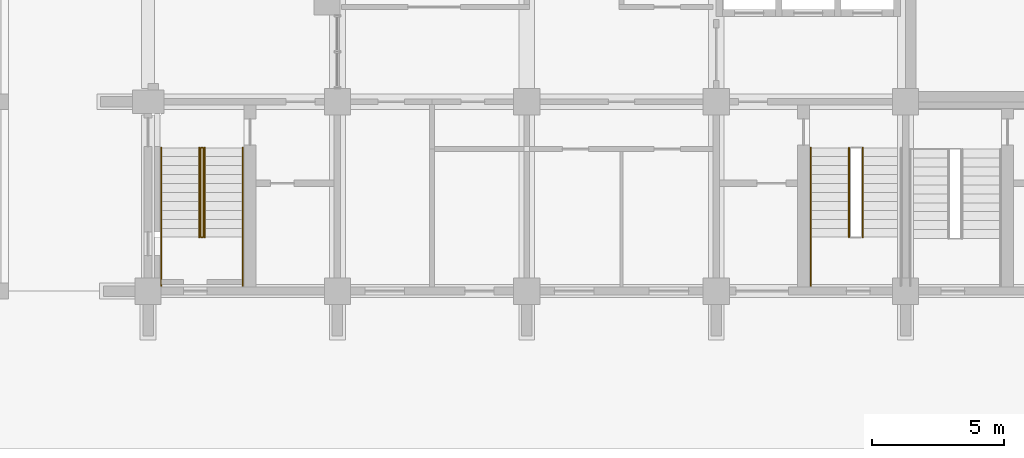
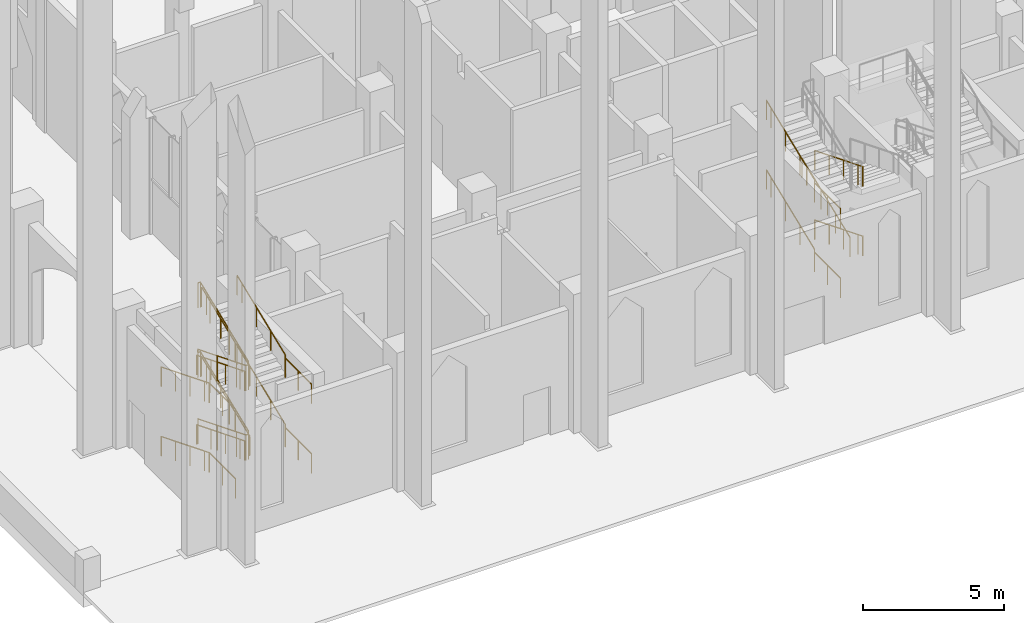
# One storey, part 43 of 50: 14 railings.
"""IFC4 building model written with IfcOpenShell, lengths in metres."""

from ifc_helpers import new_model, si_unit, direction, frame, origin, origin_2d, place, context, subcontext, project, spatial, circle, extrude, material, type_object, element, save


model = new_model("IFC4")

# Units and contexts
model_context = context("Model", 3, precision=1e-05, world=origin(), true_north=direction((0.0, 1.0)))
body_context = subcontext(model_context, "Body", "Model", "MODEL_VIEW")
ifc_project = project(units=[si_unit("LENGTHUNIT", "METRE"), si_unit("AREAUNIT", "SQUARE_METRE"), si_unit("VOLUMEUNIT", "CUBIC_METRE"), si_unit("PLANEANGLEUNIT", "RADIAN"), si_unit("MASSUNIT", "GRAM", prefix="KILO")], contexts=[model_context])

# Site, building, storey
site_placement = place(None, origin())
site = spatial("IfcSite", under=ifc_project, at=site_placement, CompositionType="ELEMENT")
building_placement = place(site_placement, origin())
building = spatial("IfcBuilding", under=site, at=building_placement, Name="Silangan Lancet Faculty of Sciences", CompositionType="ELEMENT")
storey_placement = place(building_placement, origin())
storey = spatial("IfcBuildingStorey", under=building, at=storey_placement, Name="L00", CompositionType="ELEMENT", Elevation=0.0)

# Railings
ifc_material_1 = material(Name="Steel balustrade", Category="steel")
railing_type_1 = type_object("IfcRailingType", Name="STAIR GUARD 1100", PredefinedType="GUARDRAIL", material=ifc_material_1)
railing_1_placement = place(storey_placement, frame((2.0, 5.449951171875, 0.136474609375)))
element("IfcRailing", 1, at=railing_1_placement, inside=storey, type_object=railing_type_1, Name="GUARD-ST-A-L00", PredefinedType="GUARDRAIL", context=body_context, shape_type="SweptSolid", body=[
    extrude(circle(Radius=0.02392578125, at=origin_2d()), frame((0.0, 0.0, 1.076171875), z_axis=(0.0, -0.928131538224, 0.372252397916), x_axis=(1.0, 0.0, 0.0)), (0.0, 0.0, 1.0), 1.465087890625),
    extrude(circle(Radius=0.02392578125, at=origin_2d()), frame((0.0, -1.35986328125, 1.62158203125), z_axis=(0.0, -0.928154623156, 0.372194835421), x_axis=(1.0, 0.0, 0.0)), (0.0, 0.0, 1.0), 1.46533203125),
    extrude(circle(Radius=0.02392578125, at=origin_2d()), frame((0.0, -2.719970703125, 2.1669921875), z_axis=(0.0, -0.928131538224, 0.372252397916), x_axis=(1.0, 0.0, 0.0)), (0.0, 0.0, 1.0), 0.732666015625),
    extrude(circle(Radius=0.02392578125, at=origin_2d()), frame((0.0, -3.39990234375, 2.439453125), z_axis=(1.0, 0.0, 0.0), x_axis=(0.0, 1.0, 0.0)), (0.0, 0.0, 1.0), 0.10009765625),
    extrude(circle(Radius=0.02392578125, at=origin_2d()), frame((0.10009765625, -3.39990234375, 2.439453125), z_axis=(0.0, 0.0, 1.0), x_axis=(1.0, 0.0, 0.0)), (0.0, 0.0, 1.0), 0.136474609375),
    extrude(circle(Radius=0.02392578125, at=origin_2d()), frame((0.10009765625, -3.39990234375, 2.576171875), z_axis=(0.0, 0.928131538224, 0.372252397916), x_axis=(-1.0, 0.0, 0.0)), (0.0, 0.0, 1.0), 1.465087890625),
    extrude(circle(Radius=0.02392578125, at=origin_2d()), frame((0.10009765625, -2.0400390625, 3.12158203125), z_axis=(0.0, 0.928154623156, 0.372194835421), x_axis=(-1.0, 0.0, 0.0)), (0.0, 0.0, 1.0), 1.46533203125),
    extrude(circle(Radius=0.02392578125, at=origin_2d()), frame((0.10009765625, -0.679931640625, 3.6669921875), z_axis=(0.0, 0.928131538224, 0.372252397916), x_axis=(-1.0, 0.0, 0.0)), (0.0, 0.0, 1.0), 0.732666015625),
    extrude(circle(Radius=0.02392578125, at=origin_2d()), frame((0.10009765625, 0.0, 3.939453125), z_axis=(-1.0, 0.0, 0.0), x_axis=(0.0, -1.0, 0.0)), (0.0, 0.0, 1.0), 0.10009765625),
    extrude(circle(Radius=0.02392578125, at=origin_2d()), frame((0.0, 0.0, 3.939453125), z_axis=(0.0, 0.0, 1.0), x_axis=(1.0, 0.0, 0.0)), (0.0, 0.0, 1.0), 0.136474609375),
    extrude(circle(Radius=0.02392578125, at=origin_2d()), frame((0.0, 0.0, 4.076171875), z_axis=(0.0, -0.928131538224, 0.372252397916), x_axis=(1.0, 0.0, 0.0)), (0.0, 0.0, 1.0), 1.465087890625),
    extrude(circle(Radius=0.02392578125, at=origin_2d()), frame((0.0, -1.35986328125, 4.62158203125), z_axis=(0.0, -0.928154623156, 0.372194835421), x_axis=(1.0, 0.0, 0.0)), (0.0, 0.0, 1.0), 1.46533203125),
    extrude(circle(Radius=0.02392578125, at=origin_2d()), frame((0.0, -2.719970703125, 5.1669921875), z_axis=(0.0, -0.928131538224, 0.372252397916), x_axis=(1.0, 0.0, 0.0)), (0.0, 0.0, 1.0), 0.732666015625),
    extrude(circle(Radius=0.02392578125, at=origin_2d()), frame((0.0, -3.39990234375, 5.439453125), z_axis=(1.0, 0.0, 0.0), x_axis=(0.0, 1.0, 0.0)), (0.0, 0.0, 1.0), 0.10009765625),
    extrude(circle(Radius=0.02392578125, at=origin_2d()), frame((0.10009765625, -3.39990234375, 5.439453125), z_axis=(0.0, 0.0, 1.0), x_axis=(1.0, 0.0, 0.0)), (0.0, 0.0, 1.0), 0.136474609375),
    extrude(circle(Radius=0.02392578125, at=origin_2d()), frame((0.10009765625, -3.39990234375, 5.576171875), z_axis=(0.0, 0.928131538224, 0.372252397916), x_axis=(-1.0, 0.0, 0.0)), (0.0, 0.0, 1.0), 1.465087890625),
    extrude(circle(Radius=0.02392578125, at=origin_2d()), frame((0.10009765625, -2.0400390625, 6.12158203125), z_axis=(0.0, 0.928154623156, 0.372194835421), x_axis=(-1.0, 0.0, 0.0)), (0.0, 0.0, 1.0), 1.46533203125),
    extrude(circle(Radius=0.02392578125, at=origin_2d()), frame((0.10009765625, -0.679931640625, 6.6669921875), z_axis=(0.0, 0.928131538224, 0.372252397916), x_axis=(-1.0, 0.0, 0.0)), (0.0, 0.0, 1.0), 0.732666015625),
    extrude(circle(Radius=0.02392578125, at=origin_2d()), frame((0.10009765625, 0.0, 6.939453125), z_axis=(-1.0, 0.0, 0.0), x_axis=(0.0, -1.0, 0.0)), (0.0, 0.0, 1.0), 0.10009765625),
    extrude(circle(Radius=0.02099609375, at=origin_2d()), origin(), (0.0, 0.0, 1.0), 1.052001953125),
    extrude(circle(Radius=0.02099609375, at=origin_2d()), frame((0.0, -1.35986328125, 0.54541015625)), (0.0, 0.0, 1.0), 1.052001953125),
    extrude(circle(Radius=0.02099609375, at=origin_2d()), frame((0.0, -2.719970703125, 1.0908203125)), (0.0, 0.0, 1.0), 1.052001953125),
    extrude(circle(Radius=0.02099609375, at=origin_2d()), frame((0.0, -3.39990234375, 1.363525390625)), (0.0, 0.0, 1.0), 1.052001953125),
    extrude(circle(Radius=0.02099609375, at=origin_2d()), frame((0.10009765625, -3.39990234375, 1.363525390625)), (0.0, 0.0, 1.0), 1.052001953125),
    extrude(circle(Radius=0.02099609375, at=origin_2d()), frame((0.10009765625, -3.39990234375, 1.5)), (0.0, 0.0, 1.0), 1.052001953125),
    extrude(circle(Radius=0.02099609375, at=origin_2d()), frame((0.10009765625, -2.0400390625, 2.04541015625)), (0.0, 0.0, 1.0), 1.052001953125),
    extrude(circle(Radius=0.02099609375, at=origin_2d()), frame((0.10009765625, -0.679931640625, 2.5908203125)), (0.0, 0.0, 1.0), 1.052001953125),
    extrude(circle(Radius=0.02099609375, at=origin_2d()), frame((0.10009765625, 0.0, 2.863525390625)), (0.0, 0.0, 1.0), 1.052001953125),
    extrude(circle(Radius=0.02099609375, at=origin_2d()), frame((0.0, 0.0, 2.863525390625)), (0.0, 0.0, 1.0), 1.052001953125),
    extrude(circle(Radius=0.02099609375, at=origin_2d()), frame((0.0, 0.0, 3.0)), (0.0, 0.0, 1.0), 1.052001953125),
    extrude(circle(Radius=0.02099609375, at=origin_2d()), frame((0.0, -1.35986328125, 3.54541015625)), (0.0, 0.0, 1.0), 1.052001953125),
    extrude(circle(Radius=0.02099609375, at=origin_2d()), frame((0.0, -2.719970703125, 4.0908203125)), (0.0, 0.0, 1.0), 1.052001953125),
    extrude(circle(Radius=0.02099609375, at=origin_2d()), frame((0.0, -3.39990234375, 4.363525390625)), (0.0, 0.0, 1.0), 1.052001953125),
    extrude(circle(Radius=0.02099609375, at=origin_2d()), frame((0.10009765625, -3.39990234375, 4.363525390625)), (0.0, 0.0, 1.0), 1.052001953125),
    extrude(circle(Radius=0.02099609375, at=origin_2d()), frame((0.10009765625, -3.39990234375, 4.5)), (0.0, 0.0, 1.0), 1.052001953125),
    extrude(circle(Radius=0.02099609375, at=origin_2d()), frame((0.10009765625, -2.0400390625, 5.04541015625)), (0.0, 0.0, 1.0), 1.052001953125),
    extrude(circle(Radius=0.02099609375, at=origin_2d()), frame((0.10009765625, -0.679931640625, 5.5908203125)), (0.0, 0.0, 1.0), 1.052001953125),
    extrude(circle(Radius=0.02099609375, at=origin_2d()), frame((0.10009765625, 0.0, 5.863525390625)), (0.0, 0.0, 1.0), 1.052001953125),
    extrude(circle(Radius=0.02099609375, at=origin_2d()), frame((0.0, 0.0, 5.863525390625)), (0.0, 0.0, 1.0), 1.052001953125),
])
ifc_material_2 = material(Name="Stainless steel", Category="steel")
railing_type_2 = type_object("IfcRailingType", Name="STAIR HANDRAIL 865", PredefinedType="HANDRAIL", material=ifc_material_2)
railing_2_placement = place(storey_placement, frame((0.5, 5.449951171875, 0.136474609375)))
element("IfcRailing", 2, at=railing_2_placement, inside=storey, type_object=railing_type_2, Name="HANDRAIL-ST-A-L00-O1", PredefinedType="HANDRAIL", context=body_context, shape_type="SweptSolid", body=[
    extrude(circle(Radius=0.02392578125, at=origin_2d()), frame((0.0, 0.0, 0.8408203125), z_axis=(0.0, -0.9281852992, 0.372118328425), x_axis=(1.0, 0.0, 0.0)), (0.0, 0.0, 1.0), 1.098876953125),
    extrude(circle(Radius=0.02392578125, at=origin_2d()), frame((0.0, -1.02001953125, 1.25), z_axis=(0.0, -0.928108552846, 0.372309701908), x_axis=(1.0, 0.0, 0.0)), (0.0, 0.0, 1.0), 1.09912109375),
    extrude(circle(Radius=0.02392578125, at=origin_2d()), frame((0.0, -2.0400390625, 1.6591796875), z_axis=(0.0, -0.9281852992, 0.372118328425), x_axis=(1.0, 0.0, 0.0)), (0.0, 0.0, 1.0), 1.098876953125),
    extrude(circle(Radius=0.02392578125, at=origin_2d()), frame((0.0, -3.06005859375, 2.06787109375), z_axis=(0.0, -0.927970099223, 0.372654659099), x_axis=(1.0, 0.0, 0.0)), (0.0, 0.0, 1.0), 0.3662109375),
    extrude(circle(Radius=0.02392578125, at=origin_2d()), frame((0.0, -3.39990234375, 2.20458984375), z_axis=(0.0, -1.0, 0.0), x_axis=(1.0, 0.0, 0.0)), (0.0, 0.0, 1.0), 1.85009765625),
    extrude(circle(Radius=0.02099609375, at=origin_2d()), origin(), (0.0, 0.0, 1.0), 0.81689453125),
    extrude(circle(Radius=0.02099609375, at=origin_2d()), frame((0.0, -1.02001953125, 0.408935546875)), (0.0, 0.0, 1.0), 0.81689453125),
    extrude(circle(Radius=0.02099609375, at=origin_2d()), frame((0.0, -2.0400390625, 0.818115234375)), (0.0, 0.0, 1.0), 0.81689453125),
    extrude(circle(Radius=0.02099609375, at=origin_2d()), frame((0.0, -3.06005859375, 1.22705078125)), (0.0, 0.0, 1.0), 0.81689453125),
    extrude(circle(Radius=0.02099609375, at=origin_2d()), frame((0.0, -3.39990234375, 1.363525390625)), (0.0, 0.0, 1.0), 0.81689453125),
    extrude(circle(Radius=0.02099609375, at=origin_2d()), frame((0.0, -4.324951171875, 1.363525390625)), (0.0, 0.0, 1.0), 0.81689453125),
    extrude(circle(Radius=0.02099609375, at=origin_2d()), frame((0.0, -5.25, 1.363525390625)), (0.0, 0.0, 1.0), 0.81689453125),
])
railing_3_placement = place(storey_placement, frame((1.949951171875, 5.449951171875, 0.136474609375)))
element("IfcRailing", 3, at=railing_3_placement, inside=storey, type_object=railing_type_2, Name="HANDRAIL-ST-A-L00-I1", PredefinedType="HANDRAIL", context=body_context, shape_type="SweptSolid", body=[
    extrude(circle(Radius=0.02392578125, at=origin_2d()), frame((0.0, 0.0, 0.8408203125), z_axis=(0.0, -0.9281852992, 0.372118328425), x_axis=(1.0, 0.0, 0.0)), (0.0, 0.0, 1.0), 1.098876953125),
    extrude(circle(Radius=0.02392578125, at=origin_2d()), frame((0.0, -1.02001953125, 1.25), z_axis=(0.0, -0.928108552846, 0.372309701908), x_axis=(1.0, 0.0, 0.0)), (0.0, 0.0, 1.0), 1.09912109375),
    extrude(circle(Radius=0.02392578125, at=origin_2d()), frame((0.0, -2.0400390625, 1.6591796875), z_axis=(0.0, -0.9281852992, 0.372118328425), x_axis=(1.0, 0.0, 0.0)), (0.0, 0.0, 1.0), 1.098876953125),
    extrude(circle(Radius=0.02392578125, at=origin_2d()), frame((0.0, -3.06005859375, 2.06787109375), z_axis=(0.0, -0.927970099223, 0.372654659099), x_axis=(1.0, 0.0, 0.0)), (0.0, 0.0, 1.0), 0.3662109375),
    extrude(circle(Radius=0.02099609375, at=origin_2d()), origin(), (0.0, 0.0, 1.0), 0.81689453125),
    extrude(circle(Radius=0.02099609375, at=origin_2d()), frame((0.0, -1.02001953125, 0.408935546875)), (0.0, 0.0, 1.0), 0.81689453125),
    extrude(circle(Radius=0.02099609375, at=origin_2d()), frame((0.0, -2.0400390625, 0.818115234375)), (0.0, 0.0, 1.0), 0.81689453125),
    extrude(circle(Radius=0.02099609375, at=origin_2d()), frame((0.0, -3.06005859375, 1.22705078125)), (0.0, 0.0, 1.0), 0.81689453125),
    extrude(circle(Radius=0.02099609375, at=origin_2d()), frame((0.0, -3.39990234375, 1.363525390625)), (0.0, 0.0, 1.0), 0.81689453125),
])
railing_4_placement = place(storey_placement, frame((3.60009765625, 0.199951171875, 1.5)))
element("IfcRailing", 4, at=railing_4_placement, inside=storey, type_object=railing_type_2, Name="HANDRAIL-ST-A-L00-O2", PredefinedType="HANDRAIL", context=body_context, shape_type="SweptSolid", body=[
    extrude(circle(Radius=0.02392578125, at=origin_2d()), frame((0.0, 0.0, 0.8408203125), z_axis=(0.0, 1.0, 0.0), x_axis=(-1.0, 0.0, 0.0)), (0.0, 0.0, 1.0), 1.85009765625),
    extrude(circle(Radius=0.02392578125, at=origin_2d()), frame((0.0, 1.85009765625, 0.8408203125), z_axis=(0.0, 0.0, 1.0), x_axis=(1.0, 0.0, 0.0)), (0.0, 0.0, 1.0), 0.136474609375),
    extrude(circle(Radius=0.02392578125, at=origin_2d()), frame((0.0, 1.85009765625, 0.9775390625), z_axis=(0.0, 0.9281852992, 0.372118328425), x_axis=(-1.0, 0.0, 0.0)), (0.0, 0.0, 1.0), 1.098876953125),
    extrude(circle(Radius=0.02392578125, at=origin_2d()), frame((0.0, 2.8701171875, 1.38623046875), z_axis=(0.0, 0.928108552846, 0.372309701908), x_axis=(-1.0, 0.0, 0.0)), (0.0, 0.0, 1.0), 1.09912109375),
    extrude(circle(Radius=0.02392578125, at=origin_2d()), frame((0.0, 3.89013671875, 1.79541015625), z_axis=(0.0, 0.9281852992, 0.372118328425), x_axis=(-1.0, 0.0, 0.0)), (0.0, 0.0, 1.0), 1.098876953125),
    extrude(circle(Radius=0.02392578125, at=origin_2d()), frame((0.0, 4.91015625, 2.20458984375), z_axis=(0.0, 0.927970099223, 0.372654659099), x_axis=(-1.0, 0.0, 0.0)), (0.0, 0.0, 1.0), 0.3662109375),
    extrude(circle(Radius=0.02099609375, at=origin_2d()), origin(), (0.0, 0.0, 1.0), 0.81689453125),
    extrude(circle(Radius=0.02099609375, at=origin_2d()), frame((0.0, 0.925048828125, 0.0)), (0.0, 0.0, 1.0), 0.81689453125),
    extrude(circle(Radius=0.02099609375, at=origin_2d()), frame((0.0, 1.85009765625, 0.0)), (0.0, 0.0, 1.0), 0.81689453125),
    extrude(circle(Radius=0.02099609375, at=origin_2d()), frame((0.0, 1.85009765625, 0.136474609375)), (0.0, 0.0, 1.0), 0.81689453125),
    extrude(circle(Radius=0.02099609375, at=origin_2d()), frame((0.0, 2.8701171875, 0.54541015625)), (0.0, 0.0, 1.0), 0.81689453125),
    extrude(circle(Radius=0.02099609375, at=origin_2d()), frame((0.0, 3.89013671875, 0.95458984375)), (0.0, 0.0, 1.0), 0.81689453125),
    extrude(circle(Radius=0.02099609375, at=origin_2d()), frame((0.0, 4.91015625, 1.363525390625)), (0.0, 0.0, 1.0), 0.81689453125),
    extrude(circle(Radius=0.02099609375, at=origin_2d()), frame((0.0, 5.25, 1.5)), (0.0, 0.0, 1.0), 0.81689453125),
])
railing_5_placement = place(storey_placement, frame((2.14990234375, 2.050048828125, 1.636474609375)))
element("IfcRailing", 5, at=railing_5_placement, inside=storey, type_object=railing_type_2, Name="HANDRAIL-ST-A-L00-I2", PredefinedType="HANDRAIL", context=body_context, shape_type="SweptSolid", body=[
    extrude(circle(Radius=0.02392578125, at=origin_2d()), frame((0.0, 0.0, 0.8408203125), z_axis=(0.0, 0.9281852992, 0.372118328425), x_axis=(-1.0, 0.0, 0.0)), (0.0, 0.0, 1.0), 1.098876953125),
    extrude(circle(Radius=0.02392578125, at=origin_2d()), frame((0.0, 1.02001953125, 1.25), z_axis=(0.0, 0.928108552846, 0.372309701908), x_axis=(-1.0, 0.0, 0.0)), (0.0, 0.0, 1.0), 1.09912109375),
    extrude(circle(Radius=0.02392578125, at=origin_2d()), frame((0.0, 2.0400390625, 1.6591796875), z_axis=(0.0, 0.9281852992, 0.372118328425), x_axis=(-1.0, 0.0, 0.0)), (0.0, 0.0, 1.0), 1.098876953125),
    extrude(circle(Radius=0.02392578125, at=origin_2d()), frame((0.0, 3.06005859375, 2.06787109375), z_axis=(0.0, 0.927970099223, 0.372654659099), x_axis=(-1.0, 0.0, 0.0)), (0.0, 0.0, 1.0), 0.3662109375),
    extrude(circle(Radius=0.02099609375, at=origin_2d()), origin(), (0.0, 0.0, 1.0), 0.81689453125),
    extrude(circle(Radius=0.02099609375, at=origin_2d()), frame((0.0, 1.02001953125, 0.408935546875)), (0.0, 0.0, 1.0), 0.81689453125),
    extrude(circle(Radius=0.02099609375, at=origin_2d()), frame((0.0, 2.0400390625, 0.818115234375)), (0.0, 0.0, 1.0), 0.81689453125),
    extrude(circle(Radius=0.02099609375, at=origin_2d()), frame((0.0, 3.06005859375, 1.22705078125)), (0.0, 0.0, 1.0), 0.81689453125),
    extrude(circle(Radius=0.02099609375, at=origin_2d()), frame((0.0, 3.39990234375, 1.363525390625)), (0.0, 0.0, 1.0), 0.81689453125),
])
railing_6_placement = place(storey_placement, frame((0.5, 5.449951171875, 3.136474609375)))
element("IfcRailing", 6, at=railing_6_placement, inside=storey, type_object=railing_type_2, Name="HANDRAIL-ST-A-L00-O3", PredefinedType="HANDRAIL", context=body_context, shape_type="SweptSolid", body=[
    extrude(circle(Radius=0.02392578125, at=origin_2d()), frame((0.0, 0.0, 0.8408203125), z_axis=(0.0, -0.9281852992, 0.372118328425), x_axis=(1.0, 0.0, 0.0)), (0.0, 0.0, 1.0), 1.098876953125),
    extrude(circle(Radius=0.02392578125, at=origin_2d()), frame((0.0, -1.02001953125, 1.25), z_axis=(0.0, -0.928108552846, 0.372309701908), x_axis=(1.0, 0.0, 0.0)), (0.0, 0.0, 1.0), 1.09912109375),
    extrude(circle(Radius=0.02392578125, at=origin_2d()), frame((0.0, -2.0400390625, 1.6591796875), z_axis=(0.0, -0.9281852992, 0.372118328425), x_axis=(1.0, 0.0, 0.0)), (0.0, 0.0, 1.0), 1.098876953125),
    extrude(circle(Radius=0.02392578125, at=origin_2d()), frame((0.0, -3.06005859375, 2.06787109375), z_axis=(0.0, -0.927970099223, 0.372654659099), x_axis=(1.0, 0.0, 0.0)), (0.0, 0.0, 1.0), 0.3662109375),
    extrude(circle(Radius=0.02392578125, at=origin_2d()), frame((0.0, -3.39990234375, 2.20458984375), z_axis=(0.0, -1.0, 0.0), x_axis=(1.0, 0.0, 0.0)), (0.0, 0.0, 1.0), 1.85009765625),
    extrude(circle(Radius=0.02099609375, at=origin_2d()), origin(), (0.0, 0.0, 1.0), 0.81689453125),
    extrude(circle(Radius=0.02099609375, at=origin_2d()), frame((0.0, -1.02001953125, 0.408935546875)), (0.0, 0.0, 1.0), 0.81689453125),
    extrude(circle(Radius=0.02099609375, at=origin_2d()), frame((0.0, -2.0400390625, 0.818115234375)), (0.0, 0.0, 1.0), 0.81689453125),
    extrude(circle(Radius=0.02099609375, at=origin_2d()), frame((0.0, -3.06005859375, 1.22705078125)), (0.0, 0.0, 1.0), 0.81689453125),
    extrude(circle(Radius=0.02099609375, at=origin_2d()), frame((0.0, -3.39990234375, 1.363525390625)), (0.0, 0.0, 1.0), 0.81689453125),
    extrude(circle(Radius=0.02099609375, at=origin_2d()), frame((0.0, -4.324951171875, 1.363525390625)), (0.0, 0.0, 1.0), 0.81689453125),
    extrude(circle(Radius=0.02099609375, at=origin_2d()), frame((0.0, -5.25, 1.363525390625)), (0.0, 0.0, 1.0), 0.81689453125),
])
railing_7_placement = place(storey_placement, frame((1.949951171875, 5.449951171875, 3.136474609375)))
element("IfcRailing", 7, at=railing_7_placement, inside=storey, type_object=railing_type_2, Name="HANDRAIL-ST-A-L00-I3", PredefinedType="HANDRAIL", context=body_context, shape_type="SweptSolid", body=[
    extrude(circle(Radius=0.02392578125, at=origin_2d()), frame((0.0, 0.0, 0.8408203125), z_axis=(0.0, -0.9281852992, 0.372118328425), x_axis=(1.0, 0.0, 0.0)), (0.0, 0.0, 1.0), 1.098876953125),
    extrude(circle(Radius=0.02392578125, at=origin_2d()), frame((0.0, -1.02001953125, 1.25), z_axis=(0.0, -0.928108552846, 0.372309701908), x_axis=(1.0, 0.0, 0.0)), (0.0, 0.0, 1.0), 1.09912109375),
    extrude(circle(Radius=0.02392578125, at=origin_2d()), frame((0.0, -2.0400390625, 1.6591796875), z_axis=(0.0, -0.9281852992, 0.372118328425), x_axis=(1.0, 0.0, 0.0)), (0.0, 0.0, 1.0), 1.098876953125),
    extrude(circle(Radius=0.02392578125, at=origin_2d()), frame((0.0, -3.06005859375, 2.06787109375), z_axis=(0.0, -0.927970099223, 0.372654659099), x_axis=(1.0, 0.0, 0.0)), (0.0, 0.0, 1.0), 0.3662109375),
    extrude(circle(Radius=0.02099609375, at=origin_2d()), origin(), (0.0, 0.0, 1.0), 0.81689453125),
    extrude(circle(Radius=0.02099609375, at=origin_2d()), frame((0.0, -1.02001953125, 0.408935546875)), (0.0, 0.0, 1.0), 0.81689453125),
    extrude(circle(Radius=0.02099609375, at=origin_2d()), frame((0.0, -2.0400390625, 0.818115234375)), (0.0, 0.0, 1.0), 0.81689453125),
    extrude(circle(Radius=0.02099609375, at=origin_2d()), frame((0.0, -3.06005859375, 1.22705078125)), (0.0, 0.0, 1.0), 0.81689453125),
    extrude(circle(Radius=0.02099609375, at=origin_2d()), frame((0.0, -3.39990234375, 1.363525390625)), (0.0, 0.0, 1.0), 0.81689453125),
])
railing_8_placement = place(storey_placement, frame((3.60009765625, 0.199951171875, 4.5)))
element("IfcRailing", 8, at=railing_8_placement, inside=storey, type_object=railing_type_2, Name="HANDRAIL-ST-A-L00-O4", PredefinedType="HANDRAIL", context=body_context, shape_type="SweptSolid", body=[
    extrude(circle(Radius=0.02392578125, at=origin_2d()), frame((0.0, 0.0, 0.8408203125), z_axis=(0.0, 1.0, 0.0), x_axis=(-1.0, 0.0, 0.0)), (0.0, 0.0, 1.0), 1.85009765625),
    extrude(circle(Radius=0.02392578125, at=origin_2d()), frame((0.0, 1.85009765625, 0.8408203125), z_axis=(0.0, 0.0, 1.0), x_axis=(1.0, 0.0, 0.0)), (0.0, 0.0, 1.0), 0.136474609375),
    extrude(circle(Radius=0.02392578125, at=origin_2d()), frame((0.0, 1.85009765625, 0.9775390625), z_axis=(0.0, 0.9281852992, 0.372118328425), x_axis=(-1.0, 0.0, 0.0)), (0.0, 0.0, 1.0), 1.098876953125),
    extrude(circle(Radius=0.02392578125, at=origin_2d()), frame((0.0, 2.8701171875, 1.38623046875), z_axis=(0.0, 0.928108552846, 0.372309701908), x_axis=(-1.0, 0.0, 0.0)), (0.0, 0.0, 1.0), 1.09912109375),
    extrude(circle(Radius=0.02392578125, at=origin_2d()), frame((0.0, 3.89013671875, 1.79541015625), z_axis=(0.0, 0.9281852992, 0.372118328425), x_axis=(-1.0, 0.0, 0.0)), (0.0, 0.0, 1.0), 1.098876953125),
    extrude(circle(Radius=0.02392578125, at=origin_2d()), frame((0.0, 4.91015625, 2.20458984375), z_axis=(0.0, 0.927970099223, 0.372654659099), x_axis=(-1.0, 0.0, 0.0)), (0.0, 0.0, 1.0), 0.3662109375),
    extrude(circle(Radius=0.02099609375, at=origin_2d()), origin(), (0.0, 0.0, 1.0), 0.81689453125),
    extrude(circle(Radius=0.02099609375, at=origin_2d()), frame((0.0, 0.925048828125, 0.0)), (0.0, 0.0, 1.0), 0.81689453125),
    extrude(circle(Radius=0.02099609375, at=origin_2d()), frame((0.0, 1.85009765625, 0.0)), (0.0, 0.0, 1.0), 0.81689453125),
    extrude(circle(Radius=0.02099609375, at=origin_2d()), frame((0.0, 1.85009765625, 0.136474609375)), (0.0, 0.0, 1.0), 0.81689453125),
    extrude(circle(Radius=0.02099609375, at=origin_2d()), frame((0.0, 2.8701171875, 0.54541015625)), (0.0, 0.0, 1.0), 0.81689453125),
    extrude(circle(Radius=0.02099609375, at=origin_2d()), frame((0.0, 3.89013671875, 0.95458984375)), (0.0, 0.0, 1.0), 0.81689453125),
    extrude(circle(Radius=0.02099609375, at=origin_2d()), frame((0.0, 4.91015625, 1.363525390625)), (0.0, 0.0, 1.0), 0.81689453125),
    extrude(circle(Radius=0.02099609375, at=origin_2d()), frame((0.0, 5.25, 1.5)), (0.0, 0.0, 1.0), 0.81689453125),
])
railing_9_placement = place(storey_placement, frame((2.14990234375, 2.050048828125, 4.636474609375)))
element("IfcRailing", 9, at=railing_9_placement, inside=storey, type_object=railing_type_2, Name="HANDRAIL-ST-A-L00-I4", PredefinedType="HANDRAIL", context=body_context, shape_type="SweptSolid", body=[
    extrude(circle(Radius=0.02392578125, at=origin_2d()), frame((0.0, 0.0, 0.8408203125), z_axis=(0.0, 0.9281852992, 0.372118328425), x_axis=(-1.0, 0.0, 0.0)), (0.0, 0.0, 1.0), 1.098876953125),
    extrude(circle(Radius=0.02392578125, at=origin_2d()), frame((0.0, 1.02001953125, 1.25), z_axis=(0.0, 0.928108552846, 0.372309701908), x_axis=(-1.0, 0.0, 0.0)), (0.0, 0.0, 1.0), 1.09912109375),
    extrude(circle(Radius=0.02392578125, at=origin_2d()), frame((0.0, 2.0400390625, 1.6591796875), z_axis=(0.0, 0.9281852992, 0.372118328425), x_axis=(-1.0, 0.0, 0.0)), (0.0, 0.0, 1.0), 1.098876953125),
    extrude(circle(Radius=0.02392578125, at=origin_2d()), frame((0.0, 3.06005859375, 2.06787109375), z_axis=(0.0, 0.927970099223, 0.372654659099), x_axis=(-1.0, 0.0, 0.0)), (0.0, 0.0, 1.0), 0.3662109375),
    extrude(circle(Radius=0.02099609375, at=origin_2d()), origin(), (0.0, 0.0, 1.0), 0.81689453125),
    extrude(circle(Radius=0.02099609375, at=origin_2d()), frame((0.0, 1.02001953125, 0.408935546875)), (0.0, 0.0, 1.0), 0.81689453125),
    extrude(circle(Radius=0.02099609375, at=origin_2d()), frame((0.0, 2.0400390625, 0.818115234375)), (0.0, 0.0, 1.0), 0.81689453125),
    extrude(circle(Radius=0.02099609375, at=origin_2d()), frame((0.0, 3.06005859375, 1.22705078125)), (0.0, 0.0, 1.0), 0.81689453125),
    extrude(circle(Radius=0.02099609375, at=origin_2d()), frame((0.0, 3.39990234375, 1.363525390625)), (0.0, 0.0, 1.0), 0.81689453125),
])
railing_10_placement = place(storey_placement, frame((27.175048828125, 5.449951171875, 0.136474609375)))
element("IfcRailing", 10, at=railing_10_placement, inside=storey, type_object=railing_type_2, Name="HANDRAIL-ST-B-L00-I1", PredefinedType="HANDRAIL", context=body_context, shape_type="SweptSolid", body=[
    extrude(circle(Radius=0.02392578125, at=origin_2d()), frame((0.0, 0.0, 0.8408203125), z_axis=(0.0, -0.9281852992, 0.372118328425), x_axis=(1.0, 0.0, 0.0)), (0.0, 0.0, 1.0), 1.098876953125),
    extrude(circle(Radius=0.02392578125, at=origin_2d()), frame((0.0, -1.02001953125, 1.25), z_axis=(0.0, -0.928108552846, 0.372309701908), x_axis=(1.0, 0.0, 0.0)), (0.0, 0.0, 1.0), 1.09912109375),
    extrude(circle(Radius=0.02392578125, at=origin_2d()), frame((0.0, -2.0400390625, 1.6591796875), z_axis=(0.0, -0.9281852992, 0.372118328425), x_axis=(1.0, 0.0, 0.0)), (0.0, 0.0, 1.0), 1.098876953125),
    extrude(circle(Radius=0.02392578125, at=origin_2d()), frame((0.0, -3.06005859375, 2.06787109375), z_axis=(0.0, -0.927970099223, 0.372654659099), x_axis=(1.0, 0.0, 0.0)), (0.0, 0.0, 1.0), 0.3662109375),
    extrude(circle(Radius=0.02099609375, at=origin_2d()), origin(), (0.0, 0.0, 1.0), 0.81689453125),
    extrude(circle(Radius=0.02099609375, at=origin_2d()), frame((0.0, -1.02001953125, 0.408935546875)), (0.0, 0.0, 1.0), 0.81689453125),
    extrude(circle(Radius=0.02099609375, at=origin_2d()), frame((0.0, -2.0400390625, 0.818115234375)), (0.0, 0.0, 1.0), 0.81689453125),
    extrude(circle(Radius=0.02099609375, at=origin_2d()), frame((0.0, -3.06005859375, 1.22705078125)), (0.0, 0.0, 1.0), 0.81689453125),
    extrude(circle(Radius=0.02099609375, at=origin_2d()), frame((0.0, -3.39990234375, 1.363525390625)), (0.0, 0.0, 1.0), 0.81689453125),
])
railing_11_placement = place(storey_placement, frame((25.199951171875, 0.199951171875, 1.5)))
element("IfcRailing", 11, at=railing_11_placement, inside=storey, type_object=railing_type_2, Name="HANDRAIL-ST-B-L00-O2", PredefinedType="HANDRAIL", context=body_context, shape_type="SweptSolid", body=[
    extrude(circle(Radius=0.02392578125, at=origin_2d()), frame((0.0, 0.0, 0.8408203125), z_axis=(0.0, 1.0, 0.0), x_axis=(-1.0, 0.0, 0.0)), (0.0, 0.0, 1.0), 1.85009765625),
    extrude(circle(Radius=0.02392578125, at=origin_2d()), frame((0.0, 1.85009765625, 0.8408203125), z_axis=(0.0, 0.0, 1.0), x_axis=(1.0, 0.0, 0.0)), (0.0, 0.0, 1.0), 0.136474609375),
    extrude(circle(Radius=0.02392578125, at=origin_2d()), frame((0.0, 1.85009765625, 0.9775390625), z_axis=(0.0, 0.9281852992, 0.372118328425), x_axis=(-1.0, 0.0, 0.0)), (0.0, 0.0, 1.0), 1.098876953125),
    extrude(circle(Radius=0.02392578125, at=origin_2d()), frame((0.0, 2.8701171875, 1.38623046875), z_axis=(0.0, 0.928108552846, 0.372309701908), x_axis=(-1.0, 0.0, 0.0)), (0.0, 0.0, 1.0), 1.09912109375),
    extrude(circle(Radius=0.02392578125, at=origin_2d()), frame((0.0, 3.89013671875, 1.79541015625), z_axis=(0.0, 0.9281852992, 0.372118328425), x_axis=(-1.0, 0.0, 0.0)), (0.0, 0.0, 1.0), 1.098876953125),
    extrude(circle(Radius=0.02392578125, at=origin_2d()), frame((0.0, 4.91015625, 2.20458984375), z_axis=(0.0, 0.927970099223, 0.372654659099), x_axis=(-1.0, 0.0, 0.0)), (0.0, 0.0, 1.0), 0.3662109375),
    extrude(circle(Radius=0.02099609375, at=origin_2d()), origin(), (0.0, 0.0, 1.0), 0.81689453125),
    extrude(circle(Radius=0.02099609375, at=origin_2d()), frame((0.0, 0.925048828125, 0.0)), (0.0, 0.0, 1.0), 0.81689453125),
    extrude(circle(Radius=0.02099609375, at=origin_2d()), frame((0.0, 1.85009765625, 0.0)), (0.0, 0.0, 1.0), 0.81689453125),
    extrude(circle(Radius=0.02099609375, at=origin_2d()), frame((0.0, 1.85009765625, 0.136474609375)), (0.0, 0.0, 1.0), 0.81689453125),
    extrude(circle(Radius=0.02099609375, at=origin_2d()), frame((0.0, 2.8701171875, 0.54541015625)), (0.0, 0.0, 1.0), 0.81689453125),
    extrude(circle(Radius=0.02099609375, at=origin_2d()), frame((0.0, 3.89013671875, 0.95458984375)), (0.0, 0.0, 1.0), 0.81689453125),
    extrude(circle(Radius=0.02099609375, at=origin_2d()), frame((0.0, 4.91015625, 1.363525390625)), (0.0, 0.0, 1.0), 0.81689453125),
    extrude(circle(Radius=0.02099609375, at=origin_2d()), frame((0.0, 5.25, 1.5)), (0.0, 0.0, 1.0), 0.81689453125),
])
railing_12_placement = place(storey_placement, frame((26.64990234375, 2.050048828125, 1.636474609375)))
element("IfcRailing", 12, at=railing_12_placement, inside=storey, type_object=railing_type_2, Name="HANDRAIL-ST-B-L00-I2", PredefinedType="HANDRAIL", context=body_context, shape_type="SweptSolid", body=[
    extrude(circle(Radius=0.02392578125, at=origin_2d()), frame((0.0, 0.0, 0.8408203125), z_axis=(0.0, 0.9281852992, 0.372118328425), x_axis=(-1.0, 0.0, 0.0)), (0.0, 0.0, 1.0), 1.098876953125),
    extrude(circle(Radius=0.02392578125, at=origin_2d()), frame((0.0, 1.02001953125, 1.25), z_axis=(0.0, 0.928108552846, 0.372309701908), x_axis=(-1.0, 0.0, 0.0)), (0.0, 0.0, 1.0), 1.09912109375),
    extrude(circle(Radius=0.02392578125, at=origin_2d()), frame((0.0, 2.0400390625, 1.6591796875), z_axis=(0.0, 0.9281852992, 0.372118328425), x_axis=(-1.0, 0.0, 0.0)), (0.0, 0.0, 1.0), 1.098876953125),
    extrude(circle(Radius=0.02392578125, at=origin_2d()), frame((0.0, 3.06005859375, 2.06787109375), z_axis=(0.0, 0.927970099223, 0.372654659099), x_axis=(-1.0, 0.0, 0.0)), (0.0, 0.0, 1.0), 0.3662109375),
    extrude(circle(Radius=0.02099609375, at=origin_2d()), origin(), (0.0, 0.0, 1.0), 0.81689453125),
    extrude(circle(Radius=0.02099609375, at=origin_2d()), frame((0.0, 1.02001953125, 0.408935546875)), (0.0, 0.0, 1.0), 0.81689453125),
    extrude(circle(Radius=0.02099609375, at=origin_2d()), frame((0.0, 2.0400390625, 0.818115234375)), (0.0, 0.0, 1.0), 0.81689453125),
    extrude(circle(Radius=0.02099609375, at=origin_2d()), frame((0.0, 3.06005859375, 1.22705078125)), (0.0, 0.0, 1.0), 0.81689453125),
    extrude(circle(Radius=0.02099609375, at=origin_2d()), frame((0.0, 3.39990234375, 1.363525390625)), (0.0, 0.0, 1.0), 0.81689453125),
])
railing_13_placement = place(storey_placement, frame((27.175048828125, 5.449951171875, 3.136474609375)))
element("IfcRailing", 13, at=railing_13_placement, inside=storey, type_object=railing_type_2, Name="HANDRAIL-ST-B-L00-I3", PredefinedType="HANDRAIL", context=body_context, shape_type="SweptSolid", body=[
    extrude(circle(Radius=0.02392578125, at=origin_2d()), frame((0.0, 0.0, 0.8408203125), z_axis=(0.0, -0.9281852992, 0.372118328425), x_axis=(1.0, 0.0, 0.0)), (0.0, 0.0, 1.0), 1.098876953125),
    extrude(circle(Radius=0.02392578125, at=origin_2d()), frame((0.0, -1.02001953125, 1.25), z_axis=(0.0, -0.928108552846, 0.372309701908), x_axis=(1.0, 0.0, 0.0)), (0.0, 0.0, 1.0), 1.09912109375),
    extrude(circle(Radius=0.02392578125, at=origin_2d()), frame((0.0, -2.0400390625, 1.6591796875), z_axis=(0.0, -0.9281852992, 0.372118328425), x_axis=(1.0, 0.0, 0.0)), (0.0, 0.0, 1.0), 1.098876953125),
    extrude(circle(Radius=0.02392578125, at=origin_2d()), frame((0.0, -3.06005859375, 2.06787109375), z_axis=(0.0, -0.927970099223, 0.372654659099), x_axis=(1.0, 0.0, 0.0)), (0.0, 0.0, 1.0), 0.3662109375),
    extrude(circle(Radius=0.02099609375, at=origin_2d()), origin(), (0.0, 0.0, 1.0), 0.81689453125),
    extrude(circle(Radius=0.02099609375, at=origin_2d()), frame((0.0, -1.02001953125, 0.408935546875)), (0.0, 0.0, 1.0), 0.81689453125),
    extrude(circle(Radius=0.02099609375, at=origin_2d()), frame((0.0, -2.0400390625, 0.818115234375)), (0.0, 0.0, 1.0), 0.81689453125),
    extrude(circle(Radius=0.02099609375, at=origin_2d()), frame((0.0, -3.06005859375, 1.22705078125)), (0.0, 0.0, 1.0), 0.81689453125),
    extrude(circle(Radius=0.02099609375, at=origin_2d()), frame((0.0, -3.39990234375, 1.363525390625)), (0.0, 0.0, 1.0), 0.81689453125),
])
railing_14_placement = place(storey_placement, frame((25.199951171875, 0.199951171875, 4.5)))
element("IfcRailing", 14, at=railing_14_placement, inside=storey, type_object=railing_type_2, Name="HANDRAIL-ST-B-L00-O4", PredefinedType="HANDRAIL", context=body_context, shape_type="SweptSolid", body=[
    extrude(circle(Radius=0.02392578125, at=origin_2d()), frame((0.0, 0.0, 0.8408203125), z_axis=(0.0, 1.0, 0.0), x_axis=(-1.0, 0.0, 0.0)), (0.0, 0.0, 1.0), 1.85009765625),
    extrude(circle(Radius=0.02392578125, at=origin_2d()), frame((0.0, 1.85009765625, 0.8408203125), z_axis=(0.0, 0.0, 1.0), x_axis=(1.0, 0.0, 0.0)), (0.0, 0.0, 1.0), 0.136474609375),
    extrude(circle(Radius=0.02392578125, at=origin_2d()), frame((0.0, 1.85009765625, 0.9775390625), z_axis=(0.0, 0.9281852992, 0.372118328425), x_axis=(-1.0, 0.0, 0.0)), (0.0, 0.0, 1.0), 1.098876953125),
    extrude(circle(Radius=0.02392578125, at=origin_2d()), frame((0.0, 2.8701171875, 1.38623046875), z_axis=(0.0, 0.928108552846, 0.372309701908), x_axis=(-1.0, 0.0, 0.0)), (0.0, 0.0, 1.0), 1.09912109375),
    extrude(circle(Radius=0.02392578125, at=origin_2d()), frame((0.0, 3.89013671875, 1.79541015625), z_axis=(0.0, 0.9281852992, 0.372118328425), x_axis=(-1.0, 0.0, 0.0)), (0.0, 0.0, 1.0), 1.098876953125),
    extrude(circle(Radius=0.02392578125, at=origin_2d()), frame((0.0, 4.91015625, 2.20458984375), z_axis=(0.0, 0.927970099223, 0.372654659099), x_axis=(-1.0, 0.0, 0.0)), (0.0, 0.0, 1.0), 0.3662109375),
    extrude(circle(Radius=0.02099609375, at=origin_2d()), origin(), (0.0, 0.0, 1.0), 0.81689453125),
    extrude(circle(Radius=0.02099609375, at=origin_2d()), frame((0.0, 0.925048828125, 0.0)), (0.0, 0.0, 1.0), 0.81689453125),
    extrude(circle(Radius=0.02099609375, at=origin_2d()), frame((0.0, 1.85009765625, 0.0)), (0.0, 0.0, 1.0), 0.81689453125),
    extrude(circle(Radius=0.02099609375, at=origin_2d()), frame((0.0, 1.85009765625, 0.136474609375)), (0.0, 0.0, 1.0), 0.81689453125),
    extrude(circle(Radius=0.02099609375, at=origin_2d()), frame((0.0, 2.8701171875, 0.54541015625)), (0.0, 0.0, 1.0), 0.81689453125),
    extrude(circle(Radius=0.02099609375, at=origin_2d()), frame((0.0, 3.89013671875, 0.95458984375)), (0.0, 0.0, 1.0), 0.81689453125),
    extrude(circle(Radius=0.02099609375, at=origin_2d()), frame((0.0, 4.91015625, 1.363525390625)), (0.0, 0.0, 1.0), 0.81689453125),
    extrude(circle(Radius=0.02099609375, at=origin_2d()), frame((0.0, 5.25, 1.5)), (0.0, 0.0, 1.0), 0.81689453125),
])

save(model, "model.ifc")
